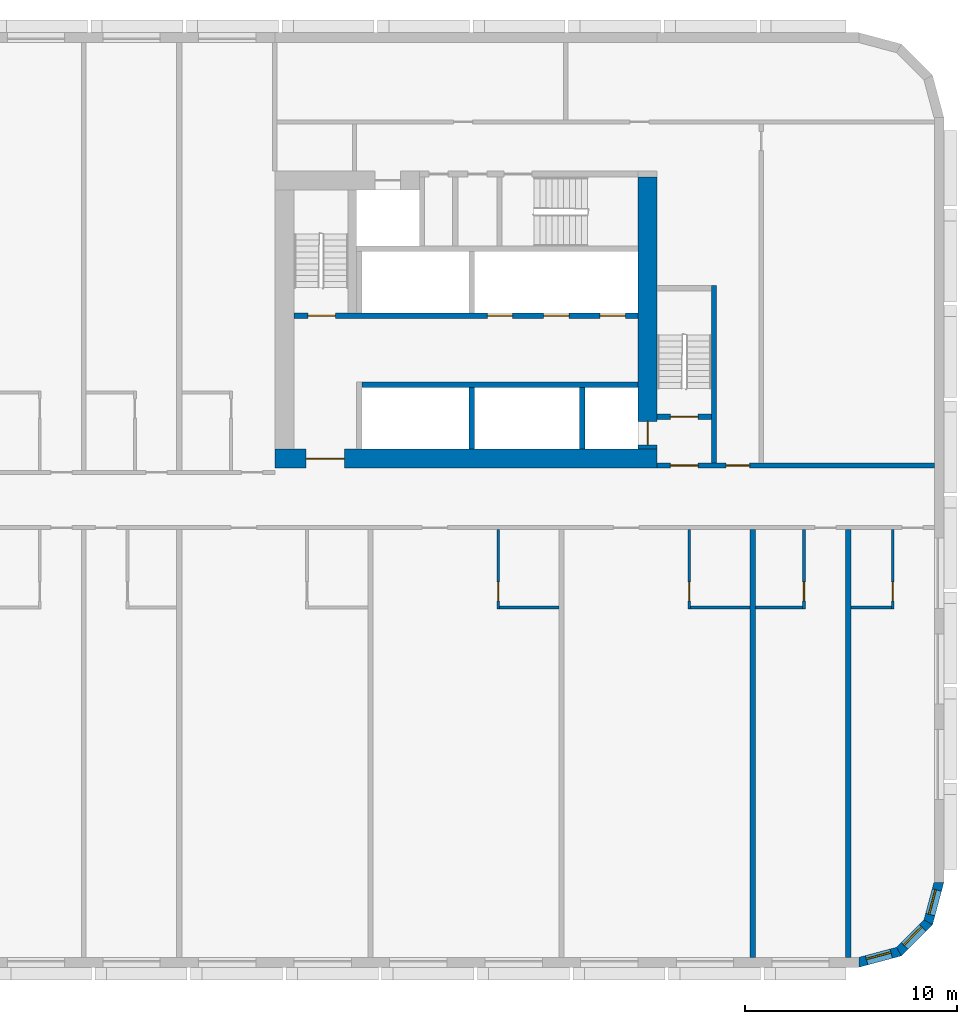
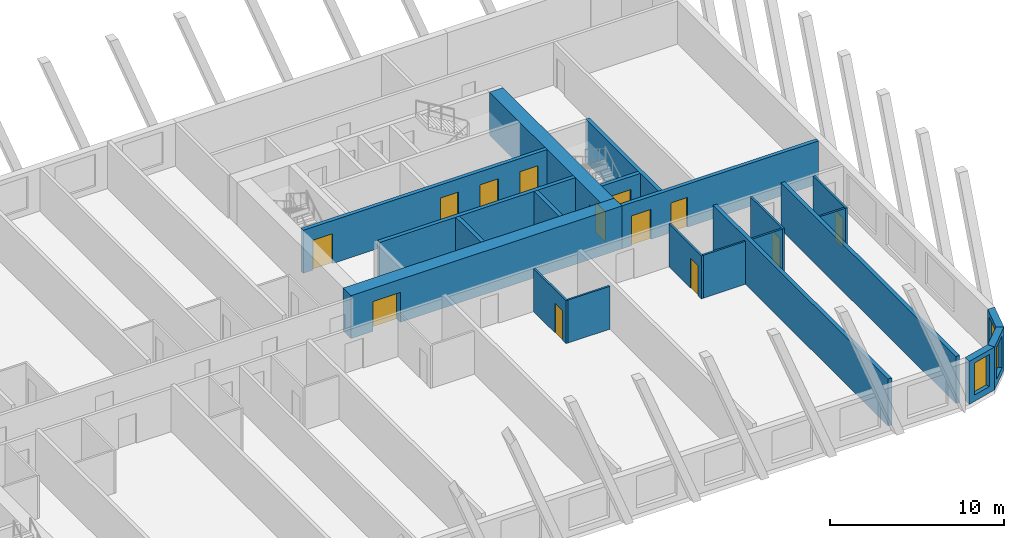
# One storey, part 7 of 13: 22 walls, 13 doors, 3 windows, 16 openings.
"""IFC4 building model written with IfcOpenShell, lengths in metres."""

from ifc_helpers import new_model, si_unit, direction, frame, frame_2d, origin, place, context, subcontext, project, spatial, polyline, rectangle, outline, extrude, material, layer, layer_set, type_object, element, fill, save


model = new_model("IFC4")

# Units and contexts
model_context = context("Model", 3, precision=1e-05, world=origin(), true_north=direction((0.0, 1.0)))
body_context = subcontext(model_context, "Body", "Model", "MODEL_VIEW")
ifc_project = project(units=[si_unit("LENGTHUNIT", "METRE"), si_unit("AREAUNIT", "SQUARE_METRE"), si_unit("VOLUMEUNIT", "CUBIC_METRE"), si_unit("PLANEANGLEUNIT", "RADIAN"), si_unit("MASSUNIT", "GRAM", prefix="KILO")], contexts=[model_context])

# Site, building, storey
site_placement = place(None, origin())
site = spatial("IfcSite", under=ifc_project, at=site_placement, CompositionType="ELEMENT")
building_placement = place(site_placement, origin())
building = spatial("IfcBuilding", under=site, at=building_placement, Name="Kajstack Hotel Tower", CompositionType="ELEMENT")
storey_placement = place(building_placement, frame((0.0, 0.0, 60.0)))
storey = spatial("IfcBuildingStorey", under=building, at=storey_placement, Name="L09", CompositionType="ELEMENT", Elevation=60.0)

# Wall, opening, door
ifc_material_1 = material(Name="Concrete C60/75", Category="concrete")
ifc_layer_1 = layer(ifc_material_1, 0.89990234375)
ifc_layer_set_1 = layer_set([ifc_layer_1], Name="Core wall 900")
wall_type_1 = type_object("IfcWallType", Name="Core wall 900", PredefinedType="SHEAR", material=ifc_layer_set_1)
wall_1_placement = place(storey_placement, frame((13.5, 1.949951171875, 0.0), z_axis=(0.0, 0.0, 1.0), x_axis=(1.0, 0.0, 0.0)))
wall_1 = element("IfcWall", 1, at=wall_1_placement, inside=storey, type_object=wall_type_1, Name="Core wall E RN", PredefinedType="SHEAR", context=body_context, shape_type="SweptSolid", body=[
    extrude(rectangle(XDim=18.0, YDim=0.89990234375, at=frame_2d((9.0, 0.0))), origin(), (0.0, 0.0, 1.0), 3.02001953125),
])
opening_1_placement = place(wall_1_placement, frame((1.47509765625, 0.0, 0.0)))
opening_1 = element("IfcOpeningElement", 2, at=opening_1_placement, cuts=wall_1, Name="Opening 09E06", PredefinedType="OPENING", context=body_context, shape_type="SweptSolid", body=[
    extrude(rectangle(XDim=1.800048828125, YDim=2.10009765625, at=frame_2d((0.89990234375, 1.050048828125))), frame((0.0, 0.4599609375, 0.0), z_axis=(0.0, -1.0, 0.0), x_axis=(1.0, 0.0, 0.0)), (0.0, 0.0, 1.0), 0.919921875),
])
ifc_material_2 = material(Name="Glazed steel frame, fire-rated glass", Category="steel")
door_type_1 = type_object("IfcDoorType", Name="Lobby double door 1800", OperationType="DOUBLE_DOOR_DOUBLE_SWING", PredefinedType="DOOR", material=ifc_material_2)
door_1_placement = place(opening_1_placement, origin())
door_1 = element("IfcDoor", 3, at=door_1_placement, inside=storey, type_object=door_type_1, Name="Door 09E06", OperationType="DOUBLE_DOOR_DOUBLE_SWING", OverallHeight=2.10009765625, OverallWidth=1.800048828125, PredefinedType="DOOR", context=body_context, shape_type="SweptSolid", body=[
    extrude(rectangle(XDim=1.800048828125, YDim=2.10009765625, at=frame_2d((0.89990234375, 1.050048828125))), frame((0.0, 0.02490234375, 0.0), z_axis=(0.0, -1.0, 0.0), x_axis=(1.0, 0.0, 0.0)), (0.0, 0.0, 1.0), 0.050048828125),
])
fill(opening_1, door_1)

wall_2_placement = place(storey_placement, frame((31.050048828125, 2.39990234375, 0.0), z_axis=(0.0, 0.0, 1.0), x_axis=(0.0, 1.0, 0.0)))
wall_2 = element("IfcWall", 4, at=wall_2_placement, inside=storey, type_object=wall_type_1, Name="Core wall E RW", PredefinedType="SHEAR", context=body_context, shape_type="SweptSolid", body=[
    extrude(rectangle(XDim=12.800048828125, YDim=0.89990234375, at=frame_2d((6.39990234375, 0.0))), origin(), (0.0, 0.0, 1.0), 3.02001953125),
])
opening_2_placement = place(wall_2_placement, frame((0.199951171875, 0.0, 0.0)))
opening_2 = element("IfcOpeningElement", 5, at=opening_2_placement, cuts=wall_2, Name="Opening LD-FF2", PredefinedType="OPENING", context=body_context, shape_type="SweptSolid", body=[
    extrude(rectangle(XDim=1.10009765625, YDim=2.10009765625, at=frame_2d((0.550048828125, 1.050048828125))), frame((0.0, 0.4599609375, 0.0), z_axis=(0.0, -1.0, 0.0), x_axis=(1.0, 0.0, 0.0)), (0.0, 0.0, 1.0), 0.919921875),
])
ifc_material_3 = material(Name="Stainless steel", Category="steel")
door_type_2 = type_object("IfcDoorType", Name="Fire-fighting lift landing door 1100", OperationType="SLIDING_TO_LEFT", PredefinedType="DOOR", material=ifc_material_3)
door_2_placement = place(opening_2_placement, origin())
door_2 = element("IfcDoor", 6, at=door_2_placement, inside=storey, type_object=door_type_2, Name="Landing door FF2", OperationType="SLIDING_TO_LEFT", OverallHeight=2.10009765625, OverallWidth=1.10009765625, PredefinedType="DOOR", context=body_context, shape_type="SweptSolid", body=[
    extrude(rectangle(XDim=1.10009765625, YDim=2.10009765625, at=frame_2d((0.550048828125, 1.050048828125))), frame((0.0, 0.02490234375, 0.0), z_axis=(0.0, -1.0, 0.0), x_axis=(1.0, 0.0, 0.0)), (0.0, 0.0, 1.0), 0.050048828125),
])
fill(opening_2, door_2)

# Wall, opening, window
ifc_material_4 = material(Name="Terracotta-faced brick masonry", Category="masonry")
ifc_layer_2 = layer(ifc_material_4, 0.449951171875)
ifc_layer_set_2 = layer_set([ifc_layer_2], Name="EW-TERRA")
wall_type_2 = type_object("IfcWallType", Name="EW-TERRA", PredefinedType="SOLIDWALL", material=ifc_layer_set_2)
wall_3_placement = place(storey_placement, frame((40.941650390625, -21.78271484375, 0.0), z_axis=(0.0, 0.0, 1.0), x_axis=(0.965926999034, 0.25881466832, 0.0)))
wall_3 = element("IfcWall", 7, at=wall_3_placement, inside=storey, type_object=wall_type_2, Name="E-wall-L09-04-00", PredefinedType="SOLIDWALL", context=body_context, shape_type="SweptSolid", body=[
    extrude(outline(polyline([(0.000244140625, -0.22509765625), (2.070556640625, -0.224853515625), (1.9501953125, 0.22509765625), (0.12060546875, 0.22509765625), (0.000244140625, -0.22509765625)])), origin(), (0.0, 0.0, 1.0), 3.02001953125),
])
opening_3_placement = place(wall_3_placement, frame((0.435302734375, 0.0, 0.449951171875)))
opening_3 = element("IfcOpeningElement", 8, at=opening_3_placement, cuts=wall_3, Name="Opening W3", PredefinedType="OPENING", context=body_context, shape_type="SweptSolid", body=[
    extrude(rectangle(XDim=1.199951171875, YDim=2.25, at=frame_2d((0.60009765625, 1.125))), frame((0.0, 0.23486328125, 0.0), z_axis=(0.0, -1.0, 0.0), x_axis=(1.0, 0.0, 0.0)), (0.0, 0.0, 1.0), 0.469970703125),
])
ifc_material_5 = material(Name="Timber-aluminium window, triple glazed", Category="wood")
window_type = type_object("IfcWindowType", Name="WG3", PartitioningType="SINGLE_PANEL", PredefinedType="WINDOW", material=ifc_material_5)
window_1_placement = place(opening_3_placement, origin())
window_1 = element("IfcWindow", 9, at=window_1_placement, inside=storey, type_object=window_type, Name="Window W3 L09-04", OverallHeight=2.25, OverallWidth=1.199951171875, PartitioningType="SINGLE_PANEL", PredefinedType="WINDOW", context=body_context, shape_type="SweptSolid", body=[
    extrude(rectangle(XDim=1.199951171875, YDim=2.25, at=frame_2d((0.60009765625, 1.125))), frame((0.0, 0.090087890625, 0.0), z_axis=(0.0, -1.0, 0.0), x_axis=(1.0, 0.0, 0.0)), (0.0, 0.0, 1.0), 0.06005859375),
])
fill(opening_3, window_1)

wall_4_placement = place(storey_placement, frame((42.8408203125, -21.304931640625, 0.0), z_axis=(0.0, 0.0, 1.0), x_axis=(0.707106781187, 0.707106781187, 0.0)))
wall_4 = element("IfcWall", 10, at=wall_4_placement, inside=storey, type_object=wall_type_2, Name="E-wall-L09-05-00", PredefinedType="SOLIDWALL", context=body_context, shape_type="SweptSolid", body=[
    extrude(outline(polyline([(0.0, -0.22509765625), (2.070556640625, -0.22509765625), (1.949951171875, 0.224853515625), (0.12060546875, 0.224853515625), (0.0, -0.22509765625)])), origin(), (0.0, 0.0, 1.0), 3.02001953125),
])
opening_4_placement = place(wall_4_placement, frame((0.435302734375, 0.0, 0.449951171875)))
opening_4 = element("IfcOpeningElement", 11, at=opening_4_placement, cuts=wall_4, Name="Opening W3", PredefinedType="OPENING", context=body_context, shape_type="SweptSolid", body=[
    extrude(rectangle(XDim=1.199951171875, YDim=2.25, at=frame_2d((0.60009765625, 1.125))), frame((0.0, 0.23486328125, 0.0), z_axis=(0.0, -1.0, 0.0), x_axis=(1.0, 0.0, 0.0)), (0.0, 0.0, 1.0), 0.469970703125),
])
window_2_placement = place(opening_4_placement, origin())
window_2 = element("IfcWindow", 12, at=window_2_placement, inside=storey, type_object=window_type, Name="Window W3 L09-05", OverallHeight=2.25, OverallWidth=1.199951171875, PartitioningType="SINGLE_PANEL", PredefinedType="WINDOW", context=body_context, shape_type="SweptSolid", body=[
    extrude(rectangle(XDim=1.199951171875, YDim=2.25, at=frame_2d((0.60009765625, 1.125))), frame((0.0, 0.090087890625, 0.0), z_axis=(0.0, -1.0, 0.0), x_axis=(1.0, 0.0, 0.0)), (0.0, 0.0, 1.0), 0.06005859375),
])
fill(opening_4, window_2)

wall_5_placement = place(storey_placement, frame((44.246826171875, -19.941650390625, 0.0), z_axis=(0.0, 0.0, 1.0), x_axis=(0.25881466832, 0.965926999034, 0.0)))
wall_5 = element("IfcWall", 13, at=wall_5_placement, inside=storey, type_object=wall_type_2, Name="E-wall-L09-06-00", PredefinedType="SOLIDWALL", context=body_context, shape_type="SweptSolid", body=[
    extrude(outline(polyline([(-0.000244140625, -0.224853515625), (2.0703125, -0.22509765625), (1.949951171875, 0.22509765625), (0.120361328125, 0.22509765625), (-0.000244140625, -0.224853515625)])), origin(), (0.0, 0.0, 1.0), 3.02001953125),
])
opening_5_placement = place(wall_5_placement, frame((0.435302734375, 0.0, 0.449951171875)))
opening_5 = element("IfcOpeningElement", 14, at=opening_5_placement, cuts=wall_5, Name="Opening W3", PredefinedType="OPENING", context=body_context, shape_type="SweptSolid", body=[
    extrude(rectangle(XDim=1.199951171875, YDim=2.25, at=frame_2d((0.60009765625, 1.125))), frame((0.0, 0.23486328125, 0.0), z_axis=(0.0, -1.0, 0.0), x_axis=(1.0, 0.0, 0.0)), (0.0, 0.0, 1.0), 0.469970703125),
])
window_3_placement = place(opening_5_placement, origin())
window_3 = element("IfcWindow", 15, at=window_3_placement, inside=storey, type_object=window_type, Name="Window W3 L09-06", OverallHeight=2.25, OverallWidth=1.199951171875, PartitioningType="SINGLE_PANEL", PredefinedType="WINDOW", context=body_context, shape_type="SweptSolid", body=[
    extrude(rectangle(XDim=1.199951171875, YDim=2.25, at=frame_2d((0.60009765625, 1.125))), frame((0.0, 0.090087890625, 0.0), z_axis=(0.0, -1.0, 0.0), x_axis=(1.0, 0.0, 0.0)), (0.0, 0.0, 1.0), 0.06005859375),
])
fill(opening_5, window_3)

# Wall, opening, door
ifc_material_6 = material(Name="Gypsum board and tiled backer on steel studs", Category="steel")
ifc_layer_3 = layer(ifc_material_6, 0.125)
ifc_layer_set_3 = layer_set([ifc_layer_3], Name="En-suite wall 125")
wall_type_3 = type_object("IfcWallType", Name="En-suite wall 125", PredefinedType="PARTITIONING", material=ifc_layer_set_3)
wall_6_placement = place(storey_placement, frame((24.011962890625, -5.125, 0.0), z_axis=(0.0, 0.0, 1.0), x_axis=(0.0, 1.0, 0.0)))
wall_6 = element("IfcWall", 16, at=wall_6_placement, inside=storey, type_object=wall_type_3, Name="G-wall-L09-038", PredefinedType="PARTITIONING", context=body_context, shape_type="SweptSolid", body=[
    extrude(rectangle(XDim=3.72509765625, YDim=0.125, at=frame_2d((1.862548828125, 0.0))), origin(), (0.0, 0.0, 1.0), 3.02001953125),
])
opening_6_placement = place(wall_6_placement, frame((0.375, 0.0, 0.0)))
opening_6 = element("IfcOpeningElement", 17, at=opening_6_placement, cuts=wall_6, Name="Opening 09032", PredefinedType="OPENING", context=body_context, shape_type="SweptSolid", body=[
    extrude(rectangle(XDim=0.89990234375, YDim=2.10009765625, at=frame_2d((0.449951171875, 1.050048828125))), frame((0.0, 0.072509765625, 0.0), z_axis=(0.0, -1.0, 0.0), x_axis=(1.0, 0.0, 0.0)), (0.0, 0.0, 1.0), 0.14501953125),
])
ifc_material_7 = material(Name="Painted timber door leaf", Category="wood")
door_type_3 = type_object("IfcDoorType", Name="Room door 900", OperationType="SINGLE_SWING_LEFT", PredefinedType="DOOR", material=ifc_material_7)
door_3_placement = place(opening_6_placement, origin())
door_3 = element("IfcDoor", 18, at=door_3_placement, inside=storey, type_object=door_type_3, Name="G-door-L09-32", OperationType="SINGLE_SWING_RIGHT", OverallHeight=2.10009765625, OverallWidth=0.89990234375, PredefinedType="DOOR", context=body_context, shape_type="SweptSolid", body=[
    extrude(rectangle(XDim=0.89990234375, YDim=2.10009765625, at=frame_2d((0.449951171875, 1.050048828125))), frame((0.0, 0.02490234375, 0.0), z_axis=(0.0, -1.0, 0.0), x_axis=(1.0, 0.0, 0.0)), (0.0, 0.0, 1.0), 0.050048828125),
])
fill(opening_6, door_3)

# Wall
wall_7_placement = place(storey_placement, frame((24.074951171875, -5.06201171875, 0.0), z_axis=(0.0, 0.0, 1.0), x_axis=(1.0, 0.0, 0.0)))
element("IfcWall", 19, at=wall_7_placement, inside=storey, type_object=wall_type_3, Name="G-wall-L09-039", PredefinedType="PARTITIONING", context=body_context, shape_type="SweptSolid", body=[
    extrude(rectangle(XDim=2.800048828125, YDim=0.125, at=frame_2d((1.39990234375, 0.0))), origin(), (0.0, 0.0, 1.0), 3.02001953125),
])

# Wall, opening, door
wall_8_placement = place(storey_placement, frame((33.012939453125, -5.125, 0.0), z_axis=(0.0, 0.0, 1.0), x_axis=(0.0, 1.0, 0.0)))
wall_8 = element("IfcWall", 20, at=wall_8_placement, inside=storey, type_object=wall_type_3, Name="G-wall-L09-040", PredefinedType="PARTITIONING", context=body_context, shape_type="SweptSolid", body=[
    extrude(rectangle(XDim=3.72509765625, YDim=0.125, at=frame_2d((1.862548828125, 0.0))), origin(), (0.0, 0.0, 1.0), 3.02001953125),
])
opening_7_placement = place(wall_8_placement, frame((0.375, 0.0, 0.0)))
opening_7 = element("IfcOpeningElement", 21, at=opening_7_placement, cuts=wall_8, Name="Opening 09034", PredefinedType="OPENING", context=body_context, shape_type="SweptSolid", body=[
    extrude(rectangle(XDim=0.89990234375, YDim=2.10009765625, at=frame_2d((0.449951171875, 1.050048828125))), frame((0.0, 0.072509765625, 0.0), z_axis=(0.0, -1.0, 0.0), x_axis=(1.0, 0.0, 0.0)), (0.0, 0.0, 1.0), 0.14501953125),
])
door_4_placement = place(opening_7_placement, origin())
door_4 = element("IfcDoor", 22, at=door_4_placement, inside=storey, type_object=door_type_3, Name="G-door-L09-34", OperationType="SINGLE_SWING_RIGHT", OverallHeight=2.10009765625, OverallWidth=0.89990234375, PredefinedType="DOOR", context=body_context, shape_type="SweptSolid", body=[
    extrude(rectangle(XDim=0.89990234375, YDim=2.10009765625, at=frame_2d((0.449951171875, 1.050048828125))), frame((0.0, 0.02490234375, 0.0), z_axis=(0.0, -1.0, 0.0), x_axis=(1.0, 0.0, 0.0)), (0.0, 0.0, 1.0), 0.050048828125),
])
fill(opening_7, door_4)

# Wall
wall_9_placement = place(storey_placement, frame((33.074951171875, -5.06201171875, 0.0), z_axis=(0.0, 0.0, 1.0), x_axis=(1.0, 0.0, 0.0)))
element("IfcWall", 23, at=wall_9_placement, inside=storey, type_object=wall_type_3, Name="G-wall-L09-041", PredefinedType="PARTITIONING", context=body_context, shape_type="SweptSolid", body=[
    extrude(rectangle(XDim=2.800048828125, YDim=0.125, at=frame_2d((1.39990234375, 0.0))), origin(), (0.0, 0.0, 1.0), 3.02001953125),
])

# Wall, opening, door
wall_10_placement = place(storey_placement, frame((38.4130859375, -5.125, 0.0), z_axis=(0.0, 0.0, 1.0), x_axis=(0.0, 1.0, 0.0)))
wall_10 = element("IfcWall", 24, at=wall_10_placement, inside=storey, type_object=wall_type_3, Name="G-wall-L09-042", PredefinedType="PARTITIONING", context=body_context, shape_type="SweptSolid", body=[
    extrude(rectangle(XDim=3.72509765625, YDim=0.125, at=frame_2d((1.862548828125, 0.0))), origin(), (0.0, 0.0, 1.0), 3.02001953125),
])
opening_8_placement = place(wall_10_placement, frame((0.375, 0.0, 0.0)))
opening_8 = element("IfcOpeningElement", 25, at=opening_8_placement, cuts=wall_10, Name="Opening 09036", PredefinedType="OPENING", context=body_context, shape_type="SweptSolid", body=[
    extrude(rectangle(XDim=0.89990234375, YDim=2.10009765625, at=frame_2d((0.449951171875, 1.050048828125))), frame((0.0, 0.072509765625, 0.0), z_axis=(0.0, -1.0, 0.0), x_axis=(1.0, 0.0, 0.0)), (0.0, 0.0, 1.0), 0.14501953125),
])
door_5_placement = place(opening_8_placement, origin())
door_5 = element("IfcDoor", 26, at=door_5_placement, inside=storey, type_object=door_type_3, Name="G-door-L09-36", OperationType="SINGLE_SWING_RIGHT", OverallHeight=2.10009765625, OverallWidth=0.89990234375, PredefinedType="DOOR", context=body_context, shape_type="SweptSolid", body=[
    extrude(rectangle(XDim=0.89990234375, YDim=2.10009765625, at=frame_2d((0.449951171875, 1.050048828125))), frame((0.0, 0.02490234375, 0.0), z_axis=(0.0, -1.0, 0.0), x_axis=(1.0, 0.0, 0.0)), (0.0, 0.0, 1.0), 0.050048828125),
])
fill(opening_8, door_5)

# Wall
wall_11_placement = place(storey_placement, frame((36.125, -5.06201171875, 0.0), z_axis=(0.0, 0.0, 1.0), x_axis=(1.0, 0.0, 0.0)))
element("IfcWall", 27, at=wall_11_placement, inside=storey, type_object=wall_type_3, Name="G-wall-L09-043", PredefinedType="PARTITIONING", context=body_context, shape_type="SweptSolid", body=[
    extrude(rectangle(XDim=2.22509765625, YDim=0.125, at=frame_2d((1.112548828125, 0.0))), origin(), (0.0, 0.0, 1.0), 3.02001953125),
])

# Wall, opening, door
wall_12_placement = place(storey_placement, frame((42.5869140625, -5.125, 0.0), z_axis=(0.0, 0.0, 1.0), x_axis=(0.0, 1.0, 0.0)))
wall_12 = element("IfcWall", 28, at=wall_12_placement, inside=storey, type_object=wall_type_3, Name="G-wall-L09-044", PredefinedType="PARTITIONING", context=body_context, shape_type="SweptSolid", body=[
    extrude(rectangle(XDim=3.72509765625, YDim=0.125, at=frame_2d((1.862548828125, 0.0))), origin(), (0.0, 0.0, 1.0), 3.02001953125),
])
opening_9_placement = place(wall_12_placement, frame((0.375, 0.0, 0.0)))
opening_9 = element("IfcOpeningElement", 29, at=opening_9_placement, cuts=wall_12, Name="Opening 09038", PredefinedType="OPENING", context=body_context, shape_type="SweptSolid", body=[
    extrude(rectangle(XDim=0.89990234375, YDim=2.10009765625, at=frame_2d((0.449951171875, 1.050048828125))), frame((0.0, 0.072509765625, 0.0), z_axis=(0.0, -1.0, 0.0), x_axis=(1.0, 0.0, 0.0)), (0.0, 0.0, 1.0), 0.14501953125),
])
door_6_placement = place(opening_9_placement, origin())
door_6 = element("IfcDoor", 30, at=door_6_placement, inside=storey, type_object=door_type_3, Name="G-door-L09-38", OperationType="SINGLE_SWING_LEFT", OverallHeight=2.10009765625, OverallWidth=0.89990234375, PredefinedType="DOOR", context=body_context, shape_type="SweptSolid", body=[
    extrude(rectangle(XDim=0.89990234375, YDim=2.10009765625, at=frame_2d((0.449951171875, 1.050048828125))), frame((0.0, 0.02490234375, 0.0), z_axis=(0.0, -1.0, 0.0), x_axis=(1.0, 0.0, 0.0)), (0.0, 0.0, 1.0), 0.050048828125),
])
fill(opening_9, door_6)

# Walls
wall_13_placement = place(storey_placement, frame((40.625, -5.06201171875, 0.0), z_axis=(0.0, 0.0, 1.0), x_axis=(1.0, 0.0, 0.0)))
element("IfcWall", 31, at=wall_13_placement, inside=storey, type_object=wall_type_3, Name="G-wall-L09-045", PredefinedType="PARTITIONING", context=body_context, shape_type="SweptSolid", body=[
    extrude(rectangle(XDim=1.89990234375, YDim=0.125, at=frame_2d((0.949951171875, 0.0))), origin(), (0.0, 0.0, 1.0), 3.02001953125),
])
ifc_material_8 = material(Name="Concrete C50/60", Category="concrete")
ifc_layer_4 = layer(ifc_material_8, 0.300048828125)
ifc_layer_set_4 = layer_set([ifc_layer_4], Name="Hoistway divider wall 300")
wall_type_4 = type_object("IfcWallType", Name="Hoistway divider wall 300", PredefinedType="SHEAR", material=ifc_layer_set_4)
wall_14_placement = place(storey_placement, frame((22.77490234375, 2.39990234375, 0.0), z_axis=(0.0, 0.0, 1.0), x_axis=(0.0, 1.0, 0.0)))
element("IfcWall", 32, at=wall_14_placement, inside=storey, type_object=wall_type_4, Name="Core wall E AP2", PredefinedType="SHEAR", context=body_context, shape_type="SweptSolid", body=[
    extrude(rectangle(XDim=2.900146484375, YDim=0.25, at=frame_2d((1.4501953125, 0.0))), origin(), (0.0, 0.0, 1.0), 3.02001953125),
])
ifc_layer_5 = layer(ifc_material_1, 0.25)
ifc_layer_set_5 = layer_set([ifc_layer_5], Name="RC cross wall 250 C60/75")
wall_type_5 = type_object("IfcWallType", Name="RC cross wall 250 C60/75", PredefinedType="SHEAR", material=ifc_layer_set_5)
for number, where, z_axis, x_axis, name in (
    (33, (36.0, -21.5400390625, 0.0), (0.0, 0.0, 1.0), (0.0, 1.0, 0.0), "S-wall-L09-13"),
    (34, (40.5, -21.5400390625, 0.0), (0.0, 0.0, 1.0), (0.0, 1.0, 0.0), "S-wall-L09-14"),
):
    element("IfcWall", number, at=place(storey_placement, frame(where, z_axis=z_axis, x_axis=x_axis)), inside=storey, type_object=wall_type_5, Name=name, PredefinedType="SHEAR", context=body_context, shape_type="SweptSolid", body=[
        extrude(rectangle(XDim=20.14013671875, YDim=0.25, at=frame_2d((10.070068359375, 0.0))), origin(), (0.0, 0.0, 1.0), 3.300048828125),
    ])

# Wall, openings, doors
ifc_material_9 = material(Name="Gypsum board on steel studs, mineral wool", Category="steel")
ifc_layer_6 = layer(ifc_material_9, 0.199951171875)
ifc_layer_set_6 = layer_set([ifc_layer_6], Name="Service partition 200")
wall_type_6 = type_object("IfcWallType", Name="Service partition 200", PredefinedType="PARTITIONING", material=ifc_layer_set_6)
wall_15_placement = place(storey_placement, frame((31.5, 1.625, 0.0), z_axis=(0.0, 0.0, 1.0), x_axis=(1.0, 0.0, 0.0)))
wall_15 = element("IfcWall", 35, at=wall_15_placement, inside=storey, type_object=wall_type_6, Name="Partition E SN", PredefinedType="PARTITIONING", context=body_context, shape_type="SweptSolid", body=[
    extrude(rectangle(XDim=13.050048828125, YDim=0.25, at=frame_2d((6.52490234375, 0.0))), origin(), (0.0, 0.0, 1.0), 3.02001953125),
])
opening_10_placement = place(wall_15_placement, frame((0.625, 0.0, 0.0)))
opening_10 = element("IfcOpeningElement", 36, at=opening_10_placement, cuts=wall_15, Name="Opening 09E07", PredefinedType="OPENING", context=body_context, shape_type="SweptSolid", body=[
    extrude(rectangle(XDim=1.300048828125, YDim=2.10009765625, at=frame_2d((0.64990234375, 1.050048828125))), frame((0.0, 0.135009765625, 0.0), z_axis=(0.0, -1.0, 0.0), x_axis=(1.0, 0.0, 0.0)), (0.0, 0.0, 1.0), 0.27001953125),
])
opening_11_placement = place(wall_15_placement, frame((3.25, 0.0, 0.0)))
opening_11 = element("IfcOpeningElement", 37, at=opening_11_placement, cuts=wall_15, Name="Opening 09E09", PredefinedType="OPENING", context=body_context, shape_type="SweptSolid", body=[
    extrude(rectangle(XDim=1.10009765625, YDim=2.10009765625, at=frame_2d((0.550048828125, 1.050048828125))), frame((0.0, 0.135009765625, 0.0), z_axis=(0.0, -1.0, 0.0), x_axis=(1.0, 0.0, 0.0)), (0.0, 0.0, 1.0), 0.27001953125),
])
ifc_material_10 = material(Name="Steel leaf, fire-rated", Category="steel")
door_type_4 = type_object("IfcDoorType", Name="Fire lobby door 1300", OperationType="SINGLE_SWING_LEFT", PredefinedType="DOOR", material=ifc_material_10)
door_7_placement = place(opening_10_placement, origin())
door_7 = element("IfcDoor", 38, at=door_7_placement, inside=storey, type_object=door_type_4, Name="Door 09E07", OperationType="SINGLE_SWING_LEFT", OverallHeight=2.10009765625, OverallWidth=1.300048828125, PredefinedType="DOOR", context=body_context, shape_type="SweptSolid", body=[
    extrude(rectangle(XDim=1.300048828125, YDim=2.10009765625, at=frame_2d((0.64990234375, 1.050048828125))), frame((0.0, 0.02490234375, 0.0), z_axis=(0.0, -1.0, 0.0), x_axis=(1.0, 0.0, 0.0)), (0.0, 0.0, 1.0), 0.050048828125),
])
fill(opening_10, door_7)
ifc_material_11 = material(Name="Timber leaf, fire-rated", Category="wood")
door_type_5 = type_object("IfcDoorType", Name="Service corridor door 1100", OperationType="SINGLE_SWING_LEFT", PredefinedType="DOOR", material=ifc_material_11)
door_8_placement = place(opening_11_placement, origin())
door_8 = element("IfcDoor", 39, at=door_8_placement, inside=storey, type_object=door_type_5, Name="Door 09E09", OperationType="SINGLE_SWING_LEFT", OverallHeight=2.10009765625, OverallWidth=1.10009765625, PredefinedType="DOOR", context=body_context, shape_type="SweptSolid", body=[
    extrude(rectangle(XDim=1.10009765625, YDim=2.10009765625, at=frame_2d((0.550048828125, 1.050048828125))), frame((0.0, 0.02490234375, 0.0), z_axis=(0.0, -1.0, 0.0), x_axis=(1.0, 0.0, 0.0)), (0.0, 0.0, 1.0), 0.050048828125),
])
fill(opening_11, door_8)

# Walls
ifc_layer_7 = layer(ifc_material_8, 0.25)
ifc_layer_set_7 = layer_set([ifc_layer_7], Name="Shaft wall 250")
wall_type_7 = type_object("IfcWallType", Name="Shaft wall 250", PredefinedType="SHEAR", material=ifc_layer_set_7)
wall_16_placement = place(storey_placement, frame((17.60009765625, 5.425048828125, 0.0), z_axis=(0.0, 0.0, 1.0), x_axis=(1.0, 0.0, 0.0)))
element("IfcWall", 40, at=wall_16_placement, inside=storey, type_object=wall_type_7, Name="Core wall E FA", PredefinedType="SHEAR", context=body_context, shape_type="SweptSolid", body=[
    extrude(rectangle(XDim=13.0, YDim=0.25, at=frame_2d((6.5, 0.0))), origin(), (0.0, 0.0, 1.0), 3.02001953125),
])
wall_17_placement = place(storey_placement, frame((27.97509765625, 2.39990234375, 0.0), z_axis=(0.0, 0.0, 1.0), x_axis=(0.0, 1.0, 0.0)))
element("IfcWall", 41, at=wall_17_placement, inside=storey, type_object=wall_type_7, Name="Core wall E AP0", PredefinedType="SHEAR", context=body_context, shape_type="SweptSolid", body=[
    extrude(rectangle(XDim=2.900146484375, YDim=0.25, at=frame_2d((1.4501953125, 0.0))), origin(), (0.0, 0.0, 1.0), 3.02001953125),
])

# Wall, openings, doors
wall_18_placement = place(storey_placement, frame((14.39990234375, 8.675048828125, 0.0), z_axis=(0.0, 0.0, 1.0), x_axis=(1.0, 0.0, 0.0)))
wall_18 = element("IfcWall", 42, at=wall_18_placement, inside=storey, type_object=wall_type_7, Name="Core wall E FB", PredefinedType="SHEAR", context=body_context, shape_type="SweptSolid", body=[
    extrude(rectangle(XDim=16.2001953125, YDim=0.25, at=frame_2d((8.10009765625, 0.0))), origin(), (0.0, 0.0, 1.0), 3.02001953125),
])
opening_12_placement = place(wall_18_placement, frame((14.39990234375, 0.0, 0.0)))
opening_12 = element("IfcOpeningElement", 43, at=opening_12_placement, cuts=wall_18, Name="Opening LD-LR4", PredefinedType="OPENING", context=body_context, shape_type="SweptSolid", body=[
    extrude(rectangle(XDim=1.199951171875, YDim=2.10009765625, at=frame_2d((0.60009765625, 1.050048828125))), frame((0.0, 0.135009765625, 0.0), z_axis=(0.0, -1.0, 0.0), x_axis=(1.0, 0.0, 0.0)), (0.0, 0.0, 1.0), 0.27001953125),
])
opening_13_placement = place(wall_18_placement, frame((11.75, 0.0, 0.0)))
opening_13 = element("IfcOpeningElement", 44, at=opening_13_placement, cuts=wall_18, Name="Opening LD-LR5", PredefinedType="OPENING", context=body_context, shape_type="SweptSolid", body=[
    extrude(rectangle(XDim=1.199951171875, YDim=2.10009765625, at=frame_2d((0.60009765625, 1.050048828125))), frame((0.0, 0.135009765625, 0.0), z_axis=(0.0, -1.0, 0.0), x_axis=(1.0, 0.0, 0.0)), (0.0, 0.0, 1.0), 0.27001953125),
])
opening_14_placement = place(wall_18_placement, frame((9.10009765625, 0.0, 0.0)))
opening_14 = element("IfcOpeningElement", 45, at=opening_14_placement, cuts=wall_18, Name="Opening LD-LR6", PredefinedType="OPENING", context=body_context, shape_type="SweptSolid", body=[
    extrude(rectangle(XDim=1.199951171875, YDim=2.10009765625, at=frame_2d((0.60009765625, 1.050048828125))), frame((0.0, 0.135009765625, 0.0), z_axis=(0.0, -1.0, 0.0), x_axis=(1.0, 0.0, 0.0)), (0.0, 0.0, 1.0), 0.27001953125),
])
opening_15_placement = place(wall_18_placement, frame((0.64990234375, 0.0, 0.0)))
opening_15 = element("IfcOpeningElement", 46, at=opening_15_placement, cuts=wall_18, Name="Opening 09E10", PredefinedType="OPENING", context=body_context, shape_type="SweptSolid", body=[
    extrude(rectangle(XDim=1.300048828125, YDim=2.10009765625, at=frame_2d((0.64990234375, 1.050048828125))), frame((0.0, 0.135009765625, 0.0), z_axis=(0.0, -1.0, 0.0), x_axis=(1.0, 0.0, 0.0)), (0.0, 0.0, 1.0), 0.27001953125),
])
door_type_6 = type_object("IfcDoorType", Name="Lift landing door 1200", OperationType="SLIDING_TO_LEFT", PredefinedType="DOOR", material=ifc_material_3)
door_9_placement = place(opening_12_placement, origin())
door_9 = element("IfcDoor", 47, at=door_9_placement, inside=storey, type_object=door_type_6, Name="Landing door LR4", OperationType="SLIDING_TO_LEFT", OverallHeight=2.10009765625, OverallWidth=1.199951171875, PredefinedType="DOOR", context=body_context, shape_type="SweptSolid", body=[
    extrude(rectangle(XDim=1.199951171875, YDim=2.10009765625, at=frame_2d((0.60009765625, 1.050048828125))), frame((0.0, 0.02490234375, 0.0), z_axis=(0.0, -1.0, 0.0), x_axis=(1.0, 0.0, 0.0)), (0.0, 0.0, 1.0), 0.050048828125),
])
fill(opening_12, door_9)
door_10_placement = place(opening_13_placement, origin())
door_10 = element("IfcDoor", 48, at=door_10_placement, inside=storey, type_object=door_type_6, Name="Landing door LR5", OperationType="SLIDING_TO_RIGHT", OverallHeight=2.10009765625, OverallWidth=1.199951171875, PredefinedType="DOOR", context=body_context, shape_type="SweptSolid", body=[
    extrude(rectangle(XDim=1.199951171875, YDim=2.10009765625, at=frame_2d((0.60009765625, 1.050048828125))), frame((0.0, 0.02490234375, 0.0), z_axis=(0.0, -1.0, 0.0), x_axis=(1.0, 0.0, 0.0)), (0.0, 0.0, 1.0), 0.050048828125),
])
fill(opening_13, door_10)
door_11_placement = place(opening_14_placement, origin())
door_11 = element("IfcDoor", 49, at=door_11_placement, inside=storey, type_object=door_type_6, Name="Landing door LR6", OperationType="SLIDING_TO_RIGHT", OverallHeight=2.10009765625, OverallWidth=1.199951171875, PredefinedType="DOOR", context=body_context, shape_type="SweptSolid", body=[
    extrude(rectangle(XDim=1.199951171875, YDim=2.10009765625, at=frame_2d((0.60009765625, 1.050048828125))), frame((0.0, 0.02490234375, 0.0), z_axis=(0.0, -1.0, 0.0), x_axis=(1.0, 0.0, 0.0)), (0.0, 0.0, 1.0), 0.050048828125),
])
fill(opening_14, door_11)
door_type_7 = type_object("IfcDoorType", Name="Stair door 1300", OperationType="SINGLE_SWING_LEFT", PredefinedType="DOOR", material=ifc_material_10)
door_12_placement = place(opening_15_placement, origin())
door_12 = element("IfcDoor", 50, at=door_12_placement, inside=storey, type_object=door_type_7, Name="Door 09E10", OperationType="SINGLE_SWING_LEFT", OverallHeight=2.10009765625, OverallWidth=1.300048828125, PredefinedType="DOOR", context=body_context, shape_type="SweptSolid", body=[
    extrude(rectangle(XDim=1.300048828125, YDim=2.10009765625, at=frame_2d((0.64990234375, 1.050048828125))), frame((0.0, 0.02490234375, 0.0), z_axis=(0.0, -1.0, 0.0), x_axis=(1.0, 0.0, 0.0)), (0.0, 0.0, 1.0), 0.050048828125),
])
fill(opening_15, door_12)

# Wall, opening, door
ifc_material_12 = material(Name="Concrete C40/50", Category="concrete")
ifc_layer_8 = layer(ifc_material_12, 0.25)
ifc_layer_set_8 = layer_set([ifc_layer_8], Name="Stair enclosure wall 250")
wall_type_8 = type_object("IfcWallType", Name="Stair enclosure wall 250", PredefinedType="SHEAR", material=ifc_layer_set_8)
wall_19_placement = place(storey_placement, frame((31.5, 3.925048828125, 0.0), z_axis=(0.0, 0.0, 1.0), x_axis=(1.0, 0.0, 0.0)))
wall_19 = element("IfcWall", 51, at=wall_19_placement, inside=storey, type_object=wall_type_8, Name="Core wall E W1N", PredefinedType="SHEAR", context=body_context, shape_type="SweptSolid", body=[
    extrude(rectangle(XDim=2.550048828125, YDim=0.25, at=frame_2d((1.27490234375, 0.0))), origin(), (0.0, 0.0, 1.0), 3.02001953125),
])
opening_16_placement = place(wall_19_placement, frame((0.625, 0.0, 0.0)))
opening_16 = element("IfcOpeningElement", 52, at=opening_16_placement, cuts=wall_19, Name="Opening 09E08", PredefinedType="OPENING", context=body_context, shape_type="SweptSolid", body=[
    extrude(rectangle(XDim=1.300048828125, YDim=2.10009765625, at=frame_2d((0.64990234375, 1.050048828125))), frame((0.0, 0.135009765625, 0.0), z_axis=(0.0, -1.0, 0.0), x_axis=(1.0, 0.0, 0.0)), (0.0, 0.0, 1.0), 0.27001953125),
])
door_13_placement = place(opening_16_placement, origin())
door_13 = element("IfcDoor", 53, at=door_13_placement, inside=storey, type_object=door_type_7, Name="Door 09E08", OperationType="SINGLE_SWING_LEFT", OverallHeight=2.10009765625, OverallWidth=1.300048828125, PredefinedType="DOOR", context=body_context, shape_type="SweptSolid", body=[
    extrude(rectangle(XDim=1.300048828125, YDim=2.10009765625, at=frame_2d((0.64990234375, 1.050048828125))), frame((0.0, 0.02490234375, 0.0), z_axis=(0.0, -1.0, 0.0), x_axis=(1.0, 0.0, 0.0)), (0.0, 0.0, 1.0), 0.050048828125),
])
fill(opening_16, door_13)

# Wall
wall_20_placement = place(storey_placement, frame((34.175048828125, 1.75, 0.0), z_axis=(0.0, 0.0, 1.0), x_axis=(0.0, 1.0, 0.0)))
element("IfcWall", 54, at=wall_20_placement, inside=storey, type_object=wall_type_8, Name="Core wall E W1W", PredefinedType="SHEAR", context=body_context, shape_type="SweptSolid", body=[
    extrude(rectangle(XDim=8.35009765625, YDim=0.25, at=frame_2d((4.175048828125, 0.0))), origin(), (0.0, 0.0, 1.0), 3.02001953125),
])

save(model, "model.ifc")
